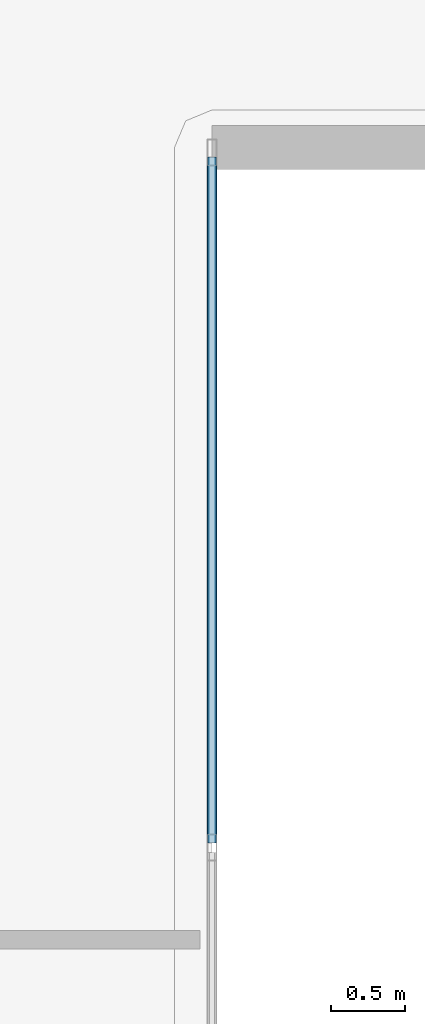
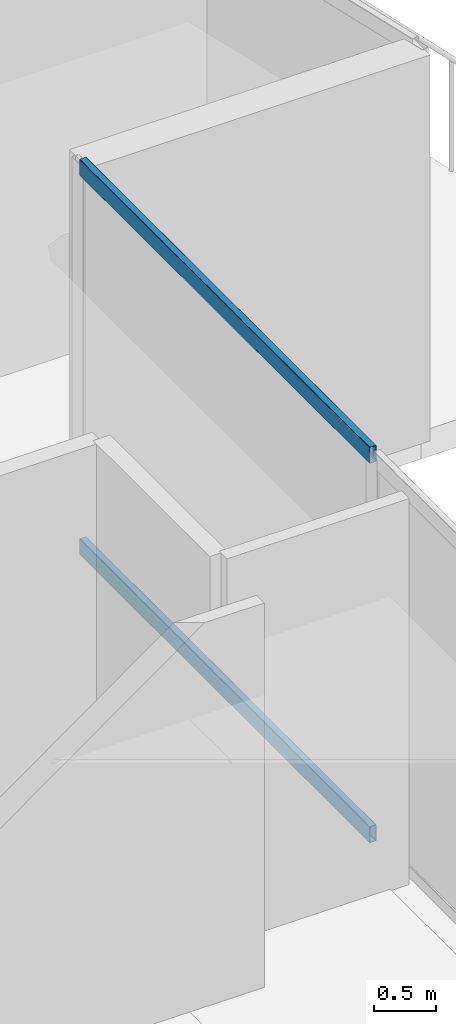
# One storey, part 13 of 39: 2 members, 1 element without a shape of its own.
"""IFC4 building model written with IfcOpenShell, lengths in metres."""

from ifc_helpers import new_model, si_unit, direction, frame, origin, origin_2d, place, context, subcontext, project, spatial, hollow_rectangle, extrude, material, layer, layer_set, material_profile, profile_set, type_object, element, aggregate, save


model = new_model("IFC4")

# Units and contexts
model_context = context("Model", 3, precision=1e-05, world=origin(), true_north=direction((0.0, 1.0)))
body_context = subcontext(model_context, "Body", "Model", "MODEL_VIEW")
ifc_project = project(units=[si_unit("LENGTHUNIT", "METRE"), si_unit("AREAUNIT", "SQUARE_METRE"), si_unit("VOLUMEUNIT", "CUBIC_METRE"), si_unit("PLANEANGLEUNIT", "RADIAN"), si_unit("MASSUNIT", "GRAM", prefix="KILO")], contexts=[model_context])

# Site, building, storey
site_placement = place(None, origin())
site = spatial("IfcSite", under=ifc_project, at=site_placement, CompositionType="ELEMENT")
building_placement = place(site_placement, origin())
building = spatial("IfcBuilding", under=site, at=building_placement, Name="Qorvath Tower", CompositionType="ELEMENT")
storey_placement = place(building_placement, frame((0.0, 0.0, 162.449951171875)))
storey = spatial("IfcBuildingStorey", under=building, at=storey_placement, Name="L37", CompositionType="ELEMENT", Elevation=162.449951171875)

# Curtain wall, members
ifc_material_1 = material(Name="Anodised aluminium and triple low-E glass", Category="aluminium")
ifc_layer = layer(ifc_material_1, 0.179931640625)
ifc_layer_set = layer_set([ifc_layer], Name="CW-SYS-3")
curtain_wall_type = type_object("IfcCurtainWallType", Name="CW-SYS-3", PredefinedType="NOTDEFINED", material=ifc_layer_set)
curtain_wall_placement = place(storey_placement, origin())
curtain_wall = element("IfcCurtainWall", 1, at=curtain_wall_placement, inside=storey, type_object=curtain_wall_type, Name="Curtain Wall CW-3 CW-T-L37-9.1", PredefinedType="NOTDEFINED")
ifc_material_2 = material(Name="Anodised aluminium 6063-T6", Category="aluminium")
ifc_material_profile = material_profile(ifc_material_2, hollow_rectangle(XDim=0.06494140625, YDim=0.159912109375, WallThickness=0.00341796875, InnerFilletRadius=0.00341796875, OuterFilletRadius=0.007080078125, at=origin_2d()), Name="CWT 160x65")
ifc_profile_set = profile_set([ifc_material_profile], Name="Anodised aluminium 6063-T6")
member_type = type_object("IfcMemberType", Name="CWT-160", PredefinedType="USERDEFINED", material=ifc_profile_set)
member_1_placement = place(storey_placement, frame((0.077880859375, 0.032470703125, 0.032470703125), z_axis=(0.0, 1.0, 0.0), x_axis=(-1.0, 0.0, 0.0)))
member_1 = element("IfcMember", 2, at=member_1_placement, type_object=member_type, Name="CW-3 transom 2.1", ObjectType="TRANSOM", PredefinedType="USERDEFINED", context=body_context, shape_type="SweptSolid", body=[
    extrude(hollow_rectangle(XDim=0.06494140625, YDim=0.159912109375, WallThickness=0.00341796875, InnerFilletRadius=0.00341796875, OuterFilletRadius=0.007080078125, at=origin_2d()), origin(), (0.0, 0.0, 1.0), 4.654541015625),
])
member_2_placement = place(storey_placement, frame((0.077880859375, 0.032470703125, 3.74755859375), z_axis=(0.0, 1.0, 0.0), x_axis=(-1.0, 0.0, 0.0)))
member_2 = element("IfcMember", 3, at=member_2_placement, type_object=member_type, Name="CW-3 transom 2.2", ObjectType="TRANSOM", PredefinedType="USERDEFINED", context=body_context, shape_type="SweptSolid", body=[
    extrude(hollow_rectangle(XDim=0.06494140625, YDim=0.159912109375, WallThickness=0.00341796875, InnerFilletRadius=0.00341796875, OuterFilletRadius=0.007080078125, at=origin_2d()), origin(), (0.0, 0.0, 1.0), 4.654541015625),
])
aggregate(curtain_wall, [member_1, member_2])

save(model, "model.ifc")
